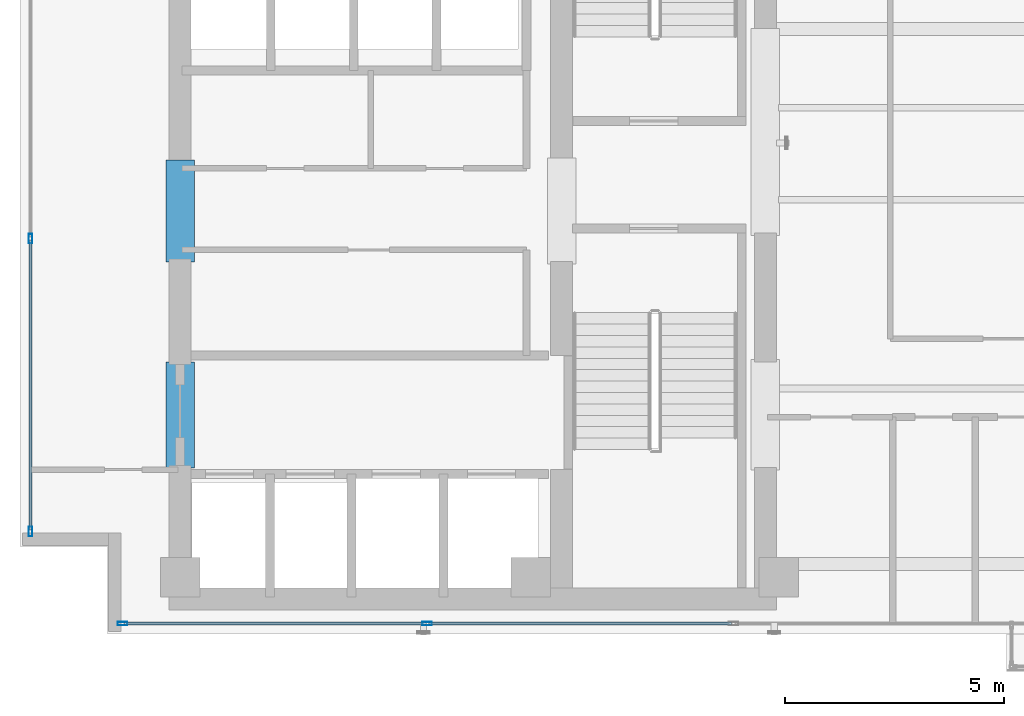
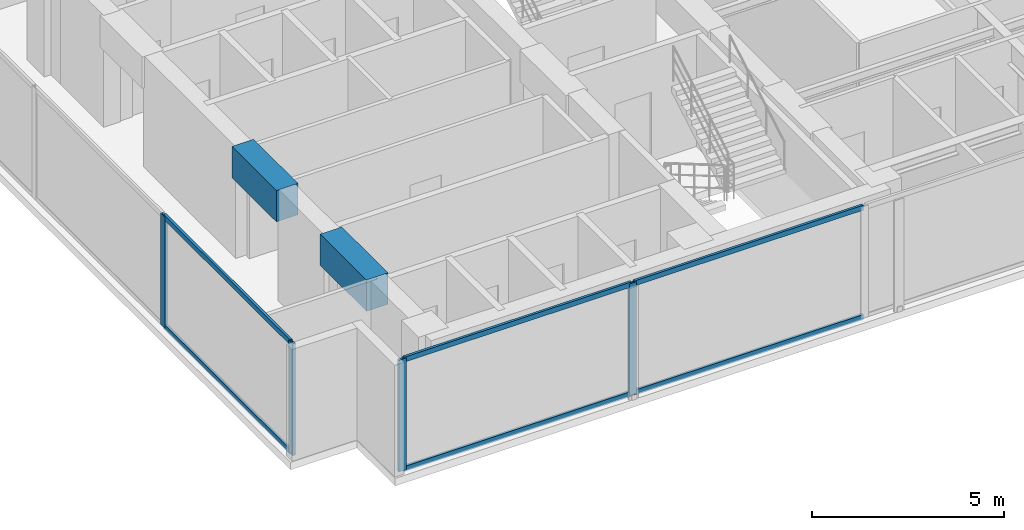
# One storey, part 2 of 24: 10 members, 2 beams, 2 elements without a shape of their own.
"""IFC4 building model written with IfcOpenShell, lengths in metres."""

import ifcopenshell
import ifcopenshell.guid

model = None  # the IFC model being written
_history = None  # IfcOwnerHistory: only IFC2X3 demands one
_inside = {}  # id of a spatial element -> (the spatial element, [elements in it])
_under = {}  # id of a project, library or spatial element -> (it, [spatial elements below it])
_declared = {}  # id of a project -> (the project, [libraries it declares])
_typed = {}  # id of a type object -> (the type object, [elements of that type])
_made_of = {}  # id of a material, layer set ... -> (it, [elements and type objects made of it])


def new_model(schema):
    """Start an empty IFC model of exactly this schema.

    Asked for "IFC4X3", IfcOpenShell would pick the latest addendum, in which some entities
    have other attributes; the version numbers below select the first issue.
    IFC2X3 requires an IfcOwnerHistory on every rooted entity: one is made here for all.
    """
    global model, _history
    if schema == "IFC4X3":
        model = ifcopenshell.file(schema_version=(4, 3, 0, 0))
    else:
        model = ifcopenshell.file(schema=schema)
    _inside.clear()
    _under.clear()
    _declared.clear()
    _typed.clear()
    _made_of.clear()
    _history = None
    if model.schema == "IFC2X3":
        org = make("IfcOrganization", Name="unknown")
        user = make(
            "IfcPersonAndOrganization",
            ThePerson=make("IfcPerson", FamilyName="unknown"),
            TheOrganization=org,
        )
        app = make(
            "IfcApplication",
            ApplicationDeveloper=org,
            Version="unknown",
            ApplicationFullName="unknown",
            ApplicationIdentifier="unknown",
        )
        _history = make(
            "IfcOwnerHistory",
            OwningUser=user,
            OwningApplication=app,
            ChangeAction="ADDED",
            CreationDate=0,
        )
    return model


def make(cls, **values):
    """One entity of the class cls with the attributes given. An attribute that is None is left unset."""
    return model.create_entity(
        cls, **{name: value for name, value in values.items() if value is not None}
    )


def rooted(cls, **values):
    """An entity with a GlobalId (a new one), such as an element, a storey or a relation."""
    return make(cls, GlobalId=ifcopenshell.guid.new(), OwnerHistory=_history, **values)


def si_unit(unit_type, name, prefix=None):
    """IfcSIUnit, for example si_unit("LENGTHUNIT", "METRE", prefix="MILLI")."""
    return make("IfcSIUnit", UnitType=unit_type, Prefix=prefix, Name=name)


def assignment(units):
    """IfcUnitAssignment: the units of a project."""
    return None if units is None else make("IfcUnitAssignment", Units=units)


def point(xyz):
    """IfcCartesianPoint."""
    return None if xyz is None else make("IfcCartesianPoint", Coordinates=xyz)


def direction(xyz):
    """IfcDirection."""
    return None if xyz is None else make("IfcDirection", DirectionRatios=xyz)


def frame(location, z_axis=None, x_axis=None):
    """IfcAxis2Placement3D, a coordinate frame: its origin and axes. An axis left out is left unset."""
    return make(
        "IfcAxis2Placement3D",
        Location=point(location),
        Axis=direction(z_axis),
        RefDirection=direction(x_axis),
    )


def frame_2d(location, x_axis=None):
    """IfcAxis2Placement2D, a coordinate frame in the plane: its origin and x axis."""
    return make(
        "IfcAxis2Placement2D", Location=point(location), RefDirection=direction(x_axis)
    )


def origin():
    """The frame at (0, 0, 0) with its axes left unset."""
    return frame((0.0, 0.0, 0.0))


def origin_with_axes():
    """The frame at (0, 0, 0) with the z axis (0, 0, 1) and the x axis (1, 0, 0) written out."""
    return frame((0.0, 0.0, 0.0), z_axis=(0.0, 0.0, 1.0), x_axis=(1.0, 0.0, 0.0))


def origin_2d():
    """The frame at (0, 0) in the plane with its x axis left unset."""
    return frame_2d((0.0, 0.0))


def place(relative_to, where):
    """IfcLocalPlacement: puts the frame where relative to a parent placement (None: the world)."""
    return make(
        "IfcLocalPlacement", PlacementRelTo=relative_to, RelativePlacement=where
    )


def context(
    kind, dimensions, precision=None, world=None, true_north=None, identifier=None
):
    """IfcGeometricRepresentationContext, for example the 3D "Model" context."""
    return make(
        "IfcGeometricRepresentationContext",
        ContextIdentifier=identifier,
        ContextType=kind,
        CoordinateSpaceDimension=dimensions,
        Precision=precision,
        WorldCoordinateSystem=world,
        TrueNorth=true_north,
    )


def subcontext(parent, identifier, kind, view, scale=None):
    """IfcGeometricRepresentationSubContext, for example "Body" below "Model"."""
    return make(
        "IfcGeometricRepresentationSubContext",
        ContextIdentifier=identifier,
        ContextType=kind,
        ParentContext=parent,
        TargetScale=scale,
        TargetView=view,
    )


def project(units=None, contexts=None):
    """IfcProject with its units and contexts."""
    return rooted(
        "IfcProject",
        Name="project",
        RepresentationContexts=contexts,
        UnitsInContext=assignment(units),
    )


def spatial(cls, under=None, at=None, **own):
    """A site, building, storey or space (cls), placed at a placement, below another one or the project."""
    s = rooted(cls, ObjectPlacement=at, **own)
    if under is not None:
        _under.setdefault(under.id(), (under, []))[1].append(s)
    return s


def profile(cls, at=None, kind="AREA", **sizes):
    """A parametric profile (cls). Its sizes go by their IFC names, for example OverallWidth=200.0."""
    return make(cls, ProfileType=kind, Position=at, **sizes)


def rectangle(**sizes):
    """IfcRectangleProfileDef."""
    return profile("IfcRectangleProfileDef", **sizes)


def hollow_rectangle(**sizes):
    """IfcRectangleHollowProfileDef."""
    return profile("IfcRectangleHollowProfileDef", **sizes)


def extrude(swept, where, along, depth):
    """IfcExtrudedAreaSolid: the profile swept, set in the frame where, extruded along a direction by depth."""
    return make(
        "IfcExtrudedAreaSolid",
        SweptArea=swept,
        Position=where,
        ExtrudedDirection=direction(along),
        Depth=depth,
    )


def shape(context_of_items, identifier, shape_type, items):
    """IfcShapeRepresentation: the items that make up one representation, for example the "Body"."""
    return make(
        "IfcShapeRepresentation",
        ContextOfItems=context_of_items,
        RepresentationIdentifier=identifier,
        RepresentationType=shape_type,
        Items=items,
    )


def source(mapping_origin, context_of_items, identifier, shape_type, items):
    """IfcRepresentationMap: a shape defined once, which mapped items show again and again."""
    return make(
        "IfcRepresentationMap",
        MappingOrigin=mapping_origin,
        MappedRepresentation=shape(context_of_items, identifier, shape_type, items),
    )


def transform(
    local_origin,
    x_axis=None,
    y_axis=None,
    z_axis=None,
    scale=None,
    scale2=None,
    scale3=None,
    uniform=True,
):
    """IfcCartesianTransformationOperator3D, or its non-uniform kind. x_axis, y_axis, z_axis: its Axis1, 2, 3."""
    if uniform:
        return make(
            "IfcCartesianTransformationOperator3D",
            Axis1=direction(x_axis),
            Axis2=direction(y_axis),
            LocalOrigin=point(local_origin),
            Scale=scale,
            Axis3=direction(z_axis),
        )
    return make(
        "IfcCartesianTransformationOperator3DnonUniform",
        Axis1=direction(x_axis),
        Axis2=direction(y_axis),
        LocalOrigin=point(local_origin),
        Scale=scale,
        Axis3=direction(z_axis),
        Scale2=scale2,
        Scale3=scale3,
    )


def mapped(mapping_source, mapping_target):
    """IfcMappedItem: shows the shape of a source again, moved by a transform."""
    return make(
        "IfcMappedItem", MappingSource=mapping_source, MappingTarget=mapping_target
    )


def material(Name=None, Category=None):
    """IfcMaterial."""
    return make("IfcMaterial", Name=Name, Category=Category)


def layer(
    of_material, thickness, ventilated=None, Name=None, Category=None, Priority=None
):
    """IfcMaterialLayer: one layer of a wall or slab, of a material (None: an air gap)."""
    return make(
        "IfcMaterialLayer",
        Material=of_material,
        LayerThickness=thickness,
        IsVentilated=ventilated,
        Name=Name,
        Category=Category,
        Priority=Priority,
    )


def layer_set(layers, Name=None):
    """IfcMaterialLayerSet."""
    return make("IfcMaterialLayerSet", MaterialLayers=layers, LayerSetName=Name)


def material_profile(
    of_material, cross_section, Name=None, Category=None, Priority=None
):
    """IfcMaterialProfile: a cross section and its material."""
    return make(
        "IfcMaterialProfile",
        Name=Name,
        Material=of_material,
        Profile=cross_section,
        Priority=Priority,
        Category=Category,
    )


def profile_set(profiles, Name=None, composite=None):
    """IfcMaterialProfileSet."""
    return make(
        "IfcMaterialProfileSet",
        Name=Name,
        MaterialProfiles=profiles,
        CompositeProfile=composite,
    )


def made_of(thing, what):
    """Note that an element or type object is made of a material, layer set ...; save() writes the relation."""
    if what is not None:
        _made_of.setdefault(what.id(), (what, []))[1].append(thing)
    return thing


def type_object(cls, material=None, **own):
    """A type object (cls), such as IfcWallType, which elements share."""
    return made_of(rooted(cls, **own), material)


def element(
    cls,
    number,
    at=None,
    inside=None,
    cuts=None,
    type_object=None,
    material=None,
    context=None,
    identifier="Body",
    shape_type=None,
    held_by="IfcProductDefinitionShape",
    body=None,
    shapes=None,
    **own,
):
    """One element of the class cls, such as IfcWall. Its Tag is "e" and its number.

    at: its placement. inside: the storey or other place that contains it. cuts: it is an
    opening in that element (IfcRelVoidsElement). A single representation is given by context,
    identifier, shape_type and body (its items); several are given by shapes. held_by: the class
    of the entity that holds the representations. save() writes the other relations.
    """
    e = rooted(cls, Tag="e%d" % number, ObjectPlacement=at, **own)
    if body is not None:
        shapes = [shape(context, identifier, shape_type, body)]
    if shapes is not None:
        e.Representation = make(held_by, Representations=shapes)
    if inside is not None:
        _inside.setdefault(inside.id(), (inside, []))[1].append(e)
    if cuts is not None:
        rooted(
            "IfcRelVoidsElement", RelatingBuildingElement=cuts, RelatedOpeningElement=e
        )
    if type_object is not None:
        _typed.setdefault(type_object.id(), (type_object, []))[1].append(e)
    return made_of(e, material)


def aggregate(whole, parts):
    """IfcRelAggregates: a whole, such as a stair, and the parts it consists of."""
    return rooted("IfcRelAggregates", RelatingObject=whole, RelatedObjects=parts)


def save(model, path):
    """Write the relations noted so far, then the file.

    IfcRelAggregates (storeys below a building ...), IfcRelContainedInSpatialStructure (elements
    in a storey), IfcRelDefinesByType, IfcRelAssociatesMaterial and IfcRelDeclares: one each for
    every whole, place, type object, material and project.
    """
    for whole, parts in _under.values():
        aggregate(whole, parts)
    for where, things in _inside.values():
        rooted(
            "IfcRelContainedInSpatialStructure",
            RelatedElements=things,
            RelatingStructure=where,
        )
    for kind, things in _typed.values():
        rooted("IfcRelDefinesByType", RelatedObjects=things, RelatingType=kind)
    for what, things in _made_of.values():
        rooted("IfcRelAssociatesMaterial", RelatedObjects=things, RelatingMaterial=what)
    for by, libraries in _declared.values():
        rooted("IfcRelDeclares", RelatingContext=by, RelatedDefinitions=libraries)
    model.write(path)


model = new_model("IFC4")

# Units and contexts
model_context = context("Model", 3, precision=1e-05, world=origin(), true_north=direction((0.0, 1.0)))
body_context = subcontext(model_context, "Body", "Model", "MODEL_VIEW")
ifc_project = project(units=[si_unit("LENGTHUNIT", "METRE"), si_unit("AREAUNIT", "SQUARE_METRE"), si_unit("VOLUMEUNIT", "CUBIC_METRE"), si_unit("PLANEANGLEUNIT", "RADIAN"), si_unit("MASSUNIT", "GRAM", prefix="KILO")], contexts=[model_context])

# Site, building, storey
site_placement = place(None, origin())
site = spatial("IfcSite", under=ifc_project, at=site_placement, CompositionType="ELEMENT")
building_placement = place(site_placement, origin())
building = spatial("IfcBuilding", under=site, at=building_placement, Name="Kolvaren Waterfront Exchange", CompositionType="ELEMENT")
storey_placement = place(building_placement, frame((0.0, 0.0, 293.199951171875)))
storey = spatial("IfcBuildingStorey", under=building, at=storey_placement, Name="L75", CompositionType="ELEMENT", Elevation=293.199951171875)

# Beams
ifc_material_1 = material(Name="Concrete C60/75", Category="concrete")
ifc_material_profile_1 = material_profile(ifc_material_1, rectangle(XDim=0.64990234375, YDim=1.0, at=origin_2d()), Name="RC-CB-1000x650")
ifc_profile_set_1 = profile_set([ifc_material_profile_1], Name="Concrete C60/75")
beam_type = type_object("IfcBeamType", Name="STR-CB-1000", PredefinedType="SPANDREL", material=ifc_profile_set_1)
beam_1_placement = place(storey_placement, frame((7.449951171875, 7.389892578125, 3.06005859375), z_axis=(0.0, 1.0, 0.0), x_axis=(-1.0, 0.0, 0.0)))
element("IfcBeam", 1, at=beam_1_placement, inside=storey, type_object=beam_type, Name="L75 core coupling beam 3", PredefinedType="SPANDREL", context=body_context, shape_type="SweptSolid", body=[
    extrude(rectangle(XDim=0.64990234375, YDim=1.0, at=origin_2d()), origin(), (0.0, 0.0, 1.0), 2.420166015625),
])
beam_2_placement = place(storey_placement, frame((7.449951171875, 12.090087890625, 3.06005859375), z_axis=(0.0, 1.0, 0.0), x_axis=(-1.0, 0.0, 0.0)))
element("IfcBeam", 2, at=beam_2_placement, inside=storey, type_object=beam_type, Name="L75 core coupling beam 4", PredefinedType="SPANDREL", context=body_context, shape_type="SweptSolid", body=[
    extrude(rectangle(XDim=0.64990234375, YDim=1.0, at=origin_2d()), origin(), (0.0, 0.0, 1.0), 2.31982421875),
])

# Curtain wall, members
ifc_material_2 = material(Name="Anodised bronze aluminium 6063-T6", Category="aluminium")
ifc_layer_1 = layer(ifc_material_2, 0.219970703125, Name="Anodised bronze aluminium 6063-T6")
ifc_layer_set_1 = layer_set([ifc_layer_1], Name="Anodised bronze aluminium 6063-T6")
curtain_wall_type_1 = type_object("IfcCurtainWallType", Name="ARC-CW-SYS1", PredefinedType="USERDEFINED", material=ifc_layer_set_1)
curtain_wall_1_placement = place(storey_placement, origin())
curtain_wall_1 = element("IfcCurtainWall", 3, at=curtain_wall_1_placement, inside=storey, type_object=curtain_wall_type_1, Name="L75 stick curtain wall CW1 (CW-L75-S)", ObjectType="STICK CURTAIN WALL", PredefinedType="USERDEFINED")
ifc_material_3 = material(Name="Anodised aluminium 6063-T6", Category="aluminium")
ifc_material_profile_2 = material_profile(ifc_material_3, hollow_rectangle(XDim=0.080078125, YDim=0.219970703125, WallThickness=0.0048828125, at=origin_2d()), Name="ALU-MUL-220x80x5")
ifc_profile_set_2 = profile_set([ifc_material_profile_2], Name="Anodised aluminium 6063-T6")
member_type_1 = type_object("IfcMemberType", Name="ARC-CWM-220", PredefinedType="MULLION", material=ifc_profile_set_2)
shared_shape_1 = source(origin_with_axes(), body_context, "Body", "SweptSolid", [
    extrude(hollow_rectangle(XDim=0.080078125, YDim=0.219970703125, WallThickness=0.0048828125, at=origin_2d()), origin(), (0.0, 0.0, 1.0), 3.56005859375),
])
member_1_placement = place(storey_placement, frame((6.139892578125, 3.840087890625, 0.0), z_axis=(0.0, 0.0, 1.0), x_axis=(0.0, 1.0, 0.0)))
member_1 = element("IfcMember", 4, at=member_1_placement, type_object=member_type_1, Name="CW1 mullion 1", PredefinedType="MULLION", context=body_context, shape_type="MappedRepresentation", body=[
    mapped(shared_shape_1, transform((0.0, 0.0, 0.0), x_axis=(1.0, 0.0, 0.0), y_axis=(0.0, 1.0, 0.0), z_axis=(0.0, 0.0, 1.0), scale=1.0)),
])
member_2_placement = place(storey_placement, frame((13.084228515625, 3.840087890625, 0.0), z_axis=(0.0, 0.0, 1.0), x_axis=(0.0, 1.0, 0.0)))
member_2 = element("IfcMember", 5, at=member_2_placement, type_object=member_type_1, Name="CW1 mullion 2", PredefinedType="MULLION", context=body_context, shape_type="MappedRepresentation", body=[
    mapped(shared_shape_1, transform((0.0, 0.0, 0.0), x_axis=(1.0, 0.0, 0.0), y_axis=(0.0, 1.0, 0.0), z_axis=(0.0, 0.0, 1.0), scale=1.0)),
])

ifc_layer_2 = layer(ifc_material_3, 0.219970703125, Name="Anodised aluminium 6063-T6")
ifc_layer_set_2 = layer_set([ifc_layer_2], Name="Anodised aluminium 6063-T6")
curtain_wall_type_2 = type_object("IfcCurtainWallType", Name="ARC-CW-SYS2", PredefinedType="USERDEFINED", material=ifc_layer_set_2)
curtain_wall_2_placement = place(storey_placement, origin())
curtain_wall_2 = element("IfcCurtainWall", 6, at=curtain_wall_2_placement, inside=storey, type_object=curtain_wall_type_2, Name="L75 stick curtain wall CW2 (CW-L75-W)", ObjectType="STICK CURTAIN WALL", PredefinedType="USERDEFINED")
member_3_placement = place(storey_placement, frame((4.0400390625, 5.93994140625, 0.0), z_axis=(0.0, 0.0, 1.0), x_axis=(-1.0, 0.0, 0.0)))
member_3 = element("IfcMember", 7, at=member_3_placement, type_object=member_type_1, Name="CW2 mullion 1", PredefinedType="MULLION", context=body_context, shape_type="MappedRepresentation", body=[
    mapped(shared_shape_1, transform((0.0, 0.0, 0.0), x_axis=(1.0, 0.0, 0.0), y_axis=(0.0, 1.0, 0.0), z_axis=(0.0, 0.0, 1.0), scale=1.0)),
])
member_4_placement = place(storey_placement, frame((4.0400390625, 12.617431640625, 0.0), z_axis=(0.0, 0.0, 1.0), x_axis=(-1.0, 0.0, 0.0)))
member_4 = element("IfcMember", 8, at=member_4_placement, type_object=member_type_1, Name="CW2 mullion 2", PredefinedType="MULLION", context=body_context, shape_type="MappedRepresentation", body=[
    mapped(shared_shape_1, transform((0.0, 0.0, 0.0), x_axis=(1.0, 0.0, 0.0), y_axis=(0.0, 1.0, 0.0), z_axis=(0.0, 0.0, 1.0), scale=1.0)),
])

# Member
ifc_material_profile_3 = material_profile(ifc_material_3, hollow_rectangle(XDim=0.074951171875, YDim=0.159912109375, WallThickness=0.00439453125, at=origin_2d()), Name="ALU-TRN-160x75x4.5")
ifc_profile_set_3 = profile_set([ifc_material_profile_3], Name="Anodised aluminium 6063-T6")
member_type_2 = type_object("IfcMemberType", Name="ARC-CWT-160", PredefinedType="USERDEFINED", material=ifc_profile_set_3)
shared_shape_2 = source(origin_with_axes(), body_context, "Body", "SweptSolid", [
    extrude(hollow_rectangle(XDim=0.074951171875, YDim=0.159912109375, WallThickness=0.00439453125, at=origin_2d()), origin(), (0.0, 0.0, 1.0), 6.8642578125),
])
member_5_placement = place(storey_placement, frame((6.179931640625, 3.840087890625, 0.03759765625), z_axis=(1.0, 0.0, 0.0), x_axis=(0.0, 1.0, 0.0)))
member_5 = element("IfcMember", 9, at=member_5_placement, type_object=member_type_2, Name="CW1 transom 1.1", ObjectType="TRANSOM", PredefinedType="USERDEFINED", context=body_context, shape_type="MappedRepresentation", body=[
    mapped(shared_shape_2, transform((0.0, 0.0, 0.0), x_axis=(1.0, 0.0, 0.0), y_axis=(0.0, 1.0, 0.0), z_axis=(0.0, 0.0, 1.0), scale=1.0)),
])

member_6_placement = place(storey_placement, frame((6.179931640625, 3.840087890625, 3.5224609375), z_axis=(1.0, 0.0, 0.0), x_axis=(0.0, 1.0, 0.0)))
member_6 = element("IfcMember", 10, at=member_6_placement, type_object=member_type_2, Name="CW1 transom 1.2", ObjectType="TRANSOM", PredefinedType="USERDEFINED", context=body_context, shape_type="MappedRepresentation", body=[
    mapped(shared_shape_2, transform((0.0, 0.0, 0.0), x_axis=(1.0, 0.0, 0.0), y_axis=(0.0, 1.0, 0.0), z_axis=(0.0, 0.0, 1.0), scale=1.0)),
])

shared_shape_3 = source(origin_with_axes(), body_context, "Body", "SweptSolid", [
    extrude(hollow_rectangle(XDim=0.074951171875, YDim=0.159912109375, WallThickness=0.00439453125, at=origin_2d()), origin(), (0.0, 0.0, 1.0), 6.904052734375),
])
member_7_placement = place(storey_placement, frame((13.124267578125, 3.840087890625, 0.03759765625), z_axis=(1.0, 0.0, 0.0), x_axis=(0.0, 1.0, 0.0)))
member_7 = element("IfcMember", 11, at=member_7_placement, type_object=member_type_2, Name="CW1 transom 2.1", ObjectType="TRANSOM", PredefinedType="USERDEFINED", context=body_context, shape_type="MappedRepresentation", body=[
    mapped(shared_shape_3, transform((0.0, 0.0, 0.0), x_axis=(1.0, 0.0, 0.0), y_axis=(0.0, 1.0, 0.0), z_axis=(0.0, 0.0, 1.0), scale=1.0)),
])

member_8_placement = place(storey_placement, frame((13.124267578125, 3.840087890625, 3.5224609375), z_axis=(1.0, 0.0, 0.0), x_axis=(0.0, 1.0, 0.0)))
member_8 = element("IfcMember", 12, at=member_8_placement, type_object=member_type_2, Name="CW1 transom 2.2", ObjectType="TRANSOM", PredefinedType="USERDEFINED", context=body_context, shape_type="MappedRepresentation", body=[
    mapped(shared_shape_3, transform((0.0, 0.0, 0.0), x_axis=(1.0, 0.0, 0.0), y_axis=(0.0, 1.0, 0.0), z_axis=(0.0, 0.0, 1.0), scale=1.0)),
])

aggregate(curtain_wall_1, [member_1, member_2, member_5, member_6, member_7, member_8])

shared_shape_4 = source(origin_with_axes(), body_context, "Body", "SweptSolid", [
    extrude(hollow_rectangle(XDim=0.074951171875, YDim=0.159912109375, WallThickness=0.00439453125, at=origin_2d()), origin(), (0.0, 0.0, 1.0), 6.59765625),
])
member_9_placement = place(storey_placement, frame((4.0400390625, 5.97998046875, 0.03759765625), z_axis=(0.0, 1.0, 0.0), x_axis=(-1.0, 0.0, 0.0)))
member_9 = element("IfcMember", 13, at=member_9_placement, type_object=member_type_2, Name="CW2 transom 1.1", ObjectType="TRANSOM", PredefinedType="USERDEFINED", context=body_context, shape_type="MappedRepresentation", body=[
    mapped(shared_shape_4, transform((0.0, 0.0, 0.0), x_axis=(1.0, 0.0, 0.0), y_axis=(0.0, 1.0, 0.0), z_axis=(0.0, 0.0, 1.0), scale=1.0)),
])

member_10_placement = place(storey_placement, frame((4.0400390625, 5.97998046875, 3.5224609375), z_axis=(0.0, 1.0, 0.0), x_axis=(-1.0, 0.0, 0.0)))
member_10 = element("IfcMember", 14, at=member_10_placement, type_object=member_type_2, Name="CW2 transom 1.2", ObjectType="TRANSOM", PredefinedType="USERDEFINED", context=body_context, shape_type="MappedRepresentation", body=[
    mapped(shared_shape_4, transform((0.0, 0.0, 0.0), x_axis=(1.0, 0.0, 0.0), y_axis=(0.0, 1.0, 0.0), z_axis=(0.0, 0.0, 1.0), scale=1.0)),
])

aggregate(curtain_wall_2, [member_3, member_4, member_9, member_10])

save(model, "model.ifc")
